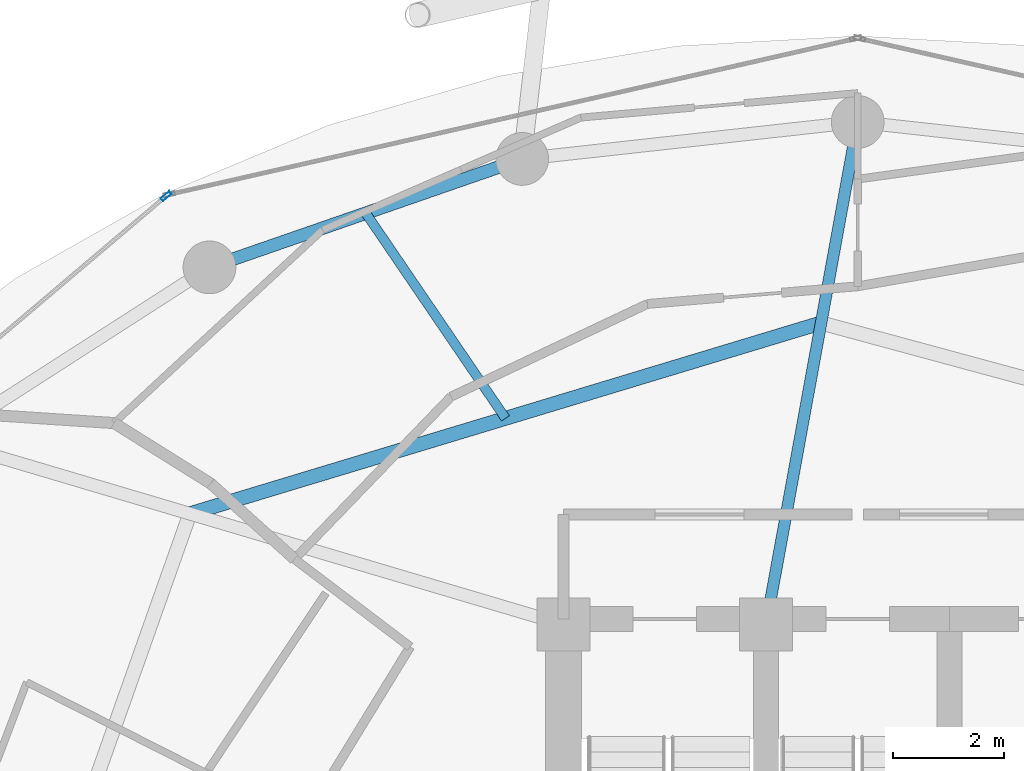
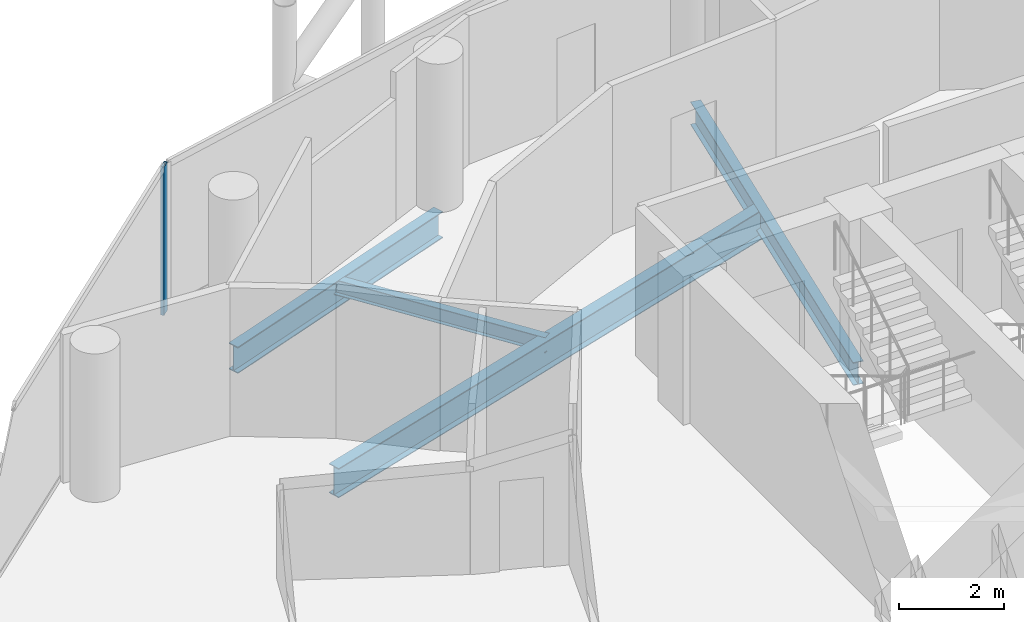
# One storey, part 15 of 26: 4 beams, 1 member, 1 element without a shape of its own.
"""IFC4 building model written with IfcOpenShell, lengths in metres."""

from ifc_helpers import new_model, si_unit, direction, frame, origin, origin_2d, place, context, subcontext, project, spatial, hollow_rectangle, i_section, extrude, material, layer, layer_set, material_profile, profile_set, type_object, element, aggregate, save


model = new_model("IFC4")

# Units and contexts
model_context = context("Model", 3, precision=1e-05, world=origin(), true_north=direction((0.0, 1.0)))
body_context = subcontext(model_context, "Body", "Model", "MODEL_VIEW")
ifc_project = project(units=[si_unit("LENGTHUNIT", "METRE"), si_unit("AREAUNIT", "SQUARE_METRE"), si_unit("VOLUMEUNIT", "CUBIC_METRE"), si_unit("PLANEANGLEUNIT", "RADIAN"), si_unit("MASSUNIT", "GRAM", prefix="KILO")], contexts=[model_context])

# Site, building, storey
site_placement = place(None, origin())
site = spatial("IfcSite", under=ifc_project, at=site_placement, CompositionType="ELEMENT")
building_placement = place(site_placement, origin())
building = spatial("IfcBuilding", under=site, at=building_placement, Name="Nuhasar Tower", CompositionType="ELEMENT")
storey_placement = place(building_placement, frame((0.0, 0.0, 170.050048828125)))
storey = spatial("IfcBuildingStorey", under=building, at=storey_placement, Name="L41", CompositionType="ELEMENT", Elevation=170.050048828125)

# Beams
ifc_material_1 = material(Name="Steel S355", Category="steel")
ifc_material_profile_1 = material_profile(ifc_material_1, i_section(OverallWidth=0.25390625, OverallDepth=0.68408203125, WebThickness=0.012451171875, FlangeThickness=0.018798828125, at=origin_2d()), Name="W27X94")
ifc_profile_set_1 = profile_set([ifc_material_profile_1], Name="Steel S355")
beam_type_1 = type_object("IfcBeamType", Name="BM-INRING-W27X94", PredefinedType="BEAM", material=ifc_profile_set_1)
beam_1_placement = place(storey_placement, frame((38.340087890625, 42.72998046875, -0.592041015625), z_axis=(-0.95722440557, -0.289346569673, 0.0), x_axis=(0.289346569673, -0.95722440557, 0.0)))
element("IfcBeam", 1, at=beam_1_placement, inside=storey, type_object=beam_type_1, Name="L41 Inner Header Beam 06", PredefinedType="BEAM", context=body_context, shape_type="SweptSolid", body=[
    extrude(i_section(OverallWidth=0.25390625, OverallDepth=0.68408203125, WebThickness=0.012451171875, FlangeThickness=0.018798828125, at=origin_2d()), origin(), (0.0, 0.0, 1.0), 11.875244140625),
])
ifc_material_profile_2 = material_profile(ifc_material_1, i_section(OverallWidth=0.1708984375, OverallDepth=0.35205078125, WebThickness=0.0068359375, FlangeThickness=0.009765625, at=origin_2d()), Name="W14X30")
ifc_profile_set_2 = profile_set([ifc_material_profile_2], Name="Steel S355")
beam_type_2 = type_object("IfcBeamType", Name="BM-JST-W14X30", PredefinedType="JOIST", material=ifc_profile_set_2)
beam_2_placement = place(storey_placement, frame((32.656982421875, 41.011962890625, -0.426025390625), z_axis=(-0.562802886474, 0.826591138941, 0.0), x_axis=(-0.826591138941, -0.562802886474, 0.0)))
element("IfcBeam", 2, at=beam_2_placement, inside=storey, type_object=beam_type_2, Name="L41 Secondary Floor Joist 06", PredefinedType="JOIST", context=body_context, shape_type="SweptSolid", body=[
    extrude(i_section(OverallWidth=0.1708984375, OverallDepth=0.35205078125, WebThickness=0.0068359375, FlangeThickness=0.009765625, at=origin_2d()), origin(), (0.0, 0.0, 1.0), 4.47021484375),
])
ifc_material_profile_3 = material_profile(ifc_material_1, i_section(OverallWidth=0.208984375, OverallDepth=0.532958984375, WebThickness=0.01025390625, FlangeThickness=0.015625, at=origin_2d()), Name="W21X62")
ifc_profile_set_3 = profile_set([ifc_material_profile_3], Name="Steel S355")
beam_type_3 = type_object("IfcBeamType", Name="BM-RAD-W21X62", PredefinedType="BEAM", material=ifc_profile_set_3)
beam_3_placement = place(storey_placement, frame((37.35009765625, 37.300048828125, -0.51611328125), z_axis=(0.179352509513, 0.983784873502, 0.0), x_axis=(-0.983784873502, 0.179352509513, 0.0)))
element("IfcBeam", 3, at=beam_3_placement, inside=storey, type_object=beam_type_3, Name="L41 Radial Floor Girder 06", PredefinedType="BEAM", context=body_context, shape_type="SweptSolid", body=[
    extrude(i_section(OverallWidth=0.208984375, OverallDepth=0.532958984375, WebThickness=0.01025390625, FlangeThickness=0.015625, at=origin_2d()), origin(), (0.0, 0.0, 1.0), 9.19921875),
])
ifc_material_profile_4 = material_profile(ifc_material_1, i_section(OverallWidth=0.22998046875, OverallDepth=0.616943359375, WebThickness=0.01318359375, FlangeThickness=0.022216796875, at=origin_2d()), Name="W24X94")
ifc_profile_set_4 = profile_set([ifc_material_profile_4], Name="Steel S355")
beam_type_4 = type_object("IfcBeamType", Name="BM-RING-W24X94", PredefinedType="SPANDREL", material=ifc_profile_set_4)
beam_4_placement = place(storey_placement, frame((32.95703125, 45.68408203125, -0.55810546875), z_axis=(-0.944801380051, -0.327643636066, 0.0), x_axis=(0.327643636066, -0.944801380051, 0.0)))
element("IfcBeam", 4, at=beam_4_placement, inside=storey, type_object=beam_type_4, Name="L41 Perimeter Ring Spandrel 08", PredefinedType="SPANDREL", context=body_context, shape_type="SweptSolid", body=[
    extrude(i_section(OverallWidth=0.22998046875, OverallDepth=0.616943359375, WebThickness=0.01318359375, FlangeThickness=0.022216796875, at=origin_2d()), origin(), (0.0, 0.0, 1.0), 5.961181640625),
])

# Curtain wall, member
ifc_material_2 = material(Name="Aluminium 6063-T6", Category="aluminium")
ifc_layer = layer(ifc_material_2, 0.199951171875)
ifc_layer_set = layer_set([ifc_layer], Name="Aluminium 6063-T6")
curtain_wall_type = type_object("IfcCurtainWallType", Name="CW-Z2-HTL", PredefinedType="NOTDEFINED", material=ifc_layer_set)
curtain_wall_placement = place(storey_placement, origin())
curtain_wall = element("IfcCurtainWall", 5, at=curtain_wall_placement, inside=storey, type_object=curtain_wall_type, Name="L41 Unitised Curtain Wall 05", PredefinedType="NOTDEFINED")
ifc_material_profile_5 = material_profile(ifc_material_2, hollow_rectangle(XDim=0.070068359375, YDim=0.199951171875, WallThickness=0.0048828125, at=origin_2d()), Name="CWM-3")
ifc_profile_set_5 = profile_set([ifc_material_profile_5], Name="Aluminium 6063-T6")
member_type = type_object("IfcMemberType", Name="CW-MUL-S3", PredefinedType="MULLION", material=ifc_profile_set_5)
member_placement = place(storey_placement, frame((26.543212890625, 45.015380859375, 0.0), z_axis=(0.0, 0.0, 1.0), x_axis=(0.646374438324, -0.763020370292, 0.0)))
member = element("IfcMember", 6, at=member_placement, type_object=member_type, Name="CW-Z2 mullion 1", PredefinedType="MULLION", context=body_context, shape_type="SweptSolid", body=[
    extrude(hollow_rectangle(XDim=0.070068359375, YDim=0.199951171875, WallThickness=0.0048828125, at=origin_2d()), origin(), (0.0, 0.0, 1.0), 3.449951171875),
])
aggregate(curtain_wall, [member])

save(model, "model.ifc")
